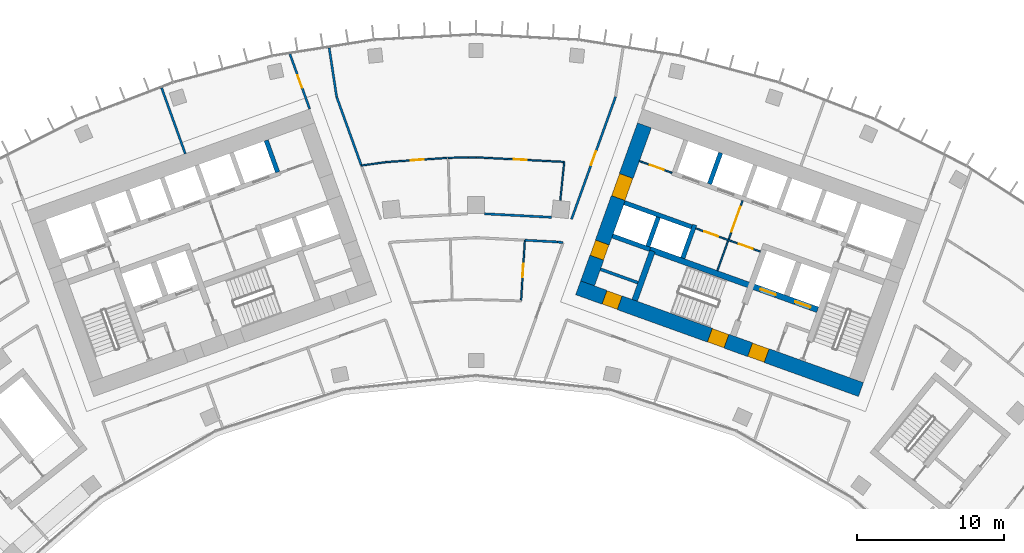
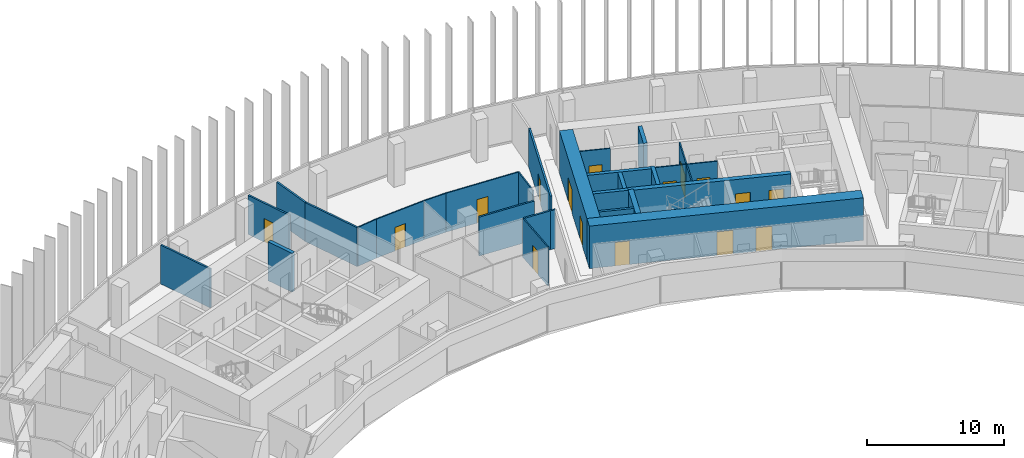
# One storey, part 16 of 20: 28 walls, 16 doors, 16 openings.
"""IFC4 building model written with IfcOpenShell, lengths in metres."""

from ifc_helpers import new_model, si_unit, direction, frame, frame_2d, origin, place, context, subcontext, project, spatial, rectangle, extrude, material, layer, layer_set, type_object, element, fill, save


model = new_model("IFC4")

# Units and contexts
model_context = context("Model", 3, precision=1e-05, world=origin(), true_north=direction((0.0, 1.0)))
body_context = subcontext(model_context, "Body", "Model", "MODEL_VIEW")
ifc_project = project(units=[si_unit("LENGTHUNIT", "METRE"), si_unit("AREAUNIT", "SQUARE_METRE"), si_unit("VOLUMEUNIT", "CUBIC_METRE"), si_unit("PLANEANGLEUNIT", "RADIAN"), si_unit("MASSUNIT", "GRAM", prefix="KILO")], contexts=[model_context])

# Site, building, storey
site_placement = place(None, origin())
site = spatial("IfcSite", under=ifc_project, at=site_placement, CompositionType="ELEMENT")
building_placement = place(site_placement, origin())
building = spatial("IfcBuilding", under=site, at=building_placement, Name="Stone Belt Terrace Tower", CompositionType="ELEMENT")
storey_placement = place(building_placement, frame((0.0, 0.0, 212.39990234375)))
storey = spatial("IfcBuildingStorey", under=building, at=storey_placement, Name="L51", CompositionType="ELEMENT", Elevation=212.39990234375)

# Wall, openings, doors
ifc_material_1 = material(Name="Plasterboard partition")
ifc_layer_1 = layer(ifc_material_1, 0.10009765625)
ifc_layer_set_1 = layer_set([ifc_layer_1], Name="Core partition 100")
wall_type_1 = type_object("IfcWallType", Name="Core partition 100", PredefinedType="PARTITIONING", material=ifc_layer_set_1)
wall_1_placement = place(storey_placement, frame((19.29052734375, 51.829833984375, 0.0), z_axis=(0.0, 0.0, 1.0), x_axis=(-0.940930240745, 0.338600475563, 0.0)))
wall_1 = element("IfcWall", 1, at=wall_1_placement, inside=storey, type_object=wall_type_1, Name="Core B wall", PredefinedType="PARTITIONING", context=body_context, shape_type="SweptSolid", body=[
    extrude(rectangle(XDim=4.64990234375, YDim=0.10009765625, at=frame_2d((2.324951171875, 0.0))), origin(), (0.0, 0.0, 1.0), 3.47998046875),
])
opening_1_placement = place(wall_1_placement, frame((0.550048828125, 0.0, 0.0)))
opening_1 = element("IfcOpeningElement", 2, at=opening_1_placement, cuts=wall_1, Name="Opening L51-C16", PredefinedType="OPENING", context=body_context, shape_type="SweptSolid", body=[
    extrude(rectangle(XDim=1.0, YDim=2.10009765625, at=frame_2d((0.5, 1.050048828125))), frame((0.0, 0.06005859375, 0.0), z_axis=(0.0, -1.0, 0.0), x_axis=(1.0, 0.0, 0.0)), (0.0, 0.0, 1.0), 0.1201171875),
])
opening_2_placement = place(wall_1_placement, frame((3.050048828125, 0.0, 0.0)))
opening_2 = element("IfcOpeningElement", 3, at=opening_2_placement, cuts=wall_1, Name="Opening L51-C17", PredefinedType="OPENING", context=body_context, shape_type="SweptSolid", body=[
    extrude(rectangle(XDim=1.0, YDim=2.10009765625, at=frame_2d((0.5, 1.050048828125))), frame((0.0, 0.06005859375, 0.0), z_axis=(0.0, -1.0, 0.0), x_axis=(1.0, 0.0, 0.0)), (0.0, 0.0, 1.0), 0.1201171875),
])
ifc_material_2 = material(Name="Timber door leaf", Category="wood")
door_type_1 = type_object("IfcDoorType", Name="Core room door 1000", OperationType="SINGLE_SWING_LEFT", PredefinedType="DOOR", material=ifc_material_2)
door_1_placement = place(opening_1_placement, origin())
door_1 = element("IfcDoor", 4, at=door_1_placement, inside=storey, type_object=door_type_1, Name="Door to Telecommunications room core B", OperationType="SINGLE_SWING_RIGHT", OverallHeight=2.10009765625, OverallWidth=1.0, PredefinedType="DOOR", context=body_context, shape_type="SweptSolid", body=[
    extrude(rectangle(XDim=1.0, YDim=2.10009765625, at=frame_2d((0.5, 1.050048828125))), frame((0.0, 0.02490234375, 0.0), z_axis=(0.0, -1.0, 0.0), x_axis=(1.0, 0.0, 0.0)), (0.0, 0.0, 1.0), 0.050048828125),
])
fill(opening_1, door_1)
door_2_placement = place(opening_2_placement, origin())
door_2 = element("IfcDoor", 5, at=door_2_placement, inside=storey, type_object=door_type_1, Name="Door to Archive store core B", OperationType="SINGLE_SWING_LEFT", OverallHeight=2.10009765625, OverallWidth=1.0, PredefinedType="DOOR", context=body_context, shape_type="SweptSolid", body=[
    extrude(rectangle(XDim=1.0, YDim=2.10009765625, at=frame_2d((0.5, 1.050048828125))), frame((0.0, 0.02490234375, 0.0), z_axis=(0.0, -1.0, 0.0), x_axis=(1.0, 0.0, 0.0)), (0.0, 0.0, 1.0), 0.050048828125),
])
fill(opening_2, door_2)

# Wall, opening, door
wall_2_placement = place(storey_placement, frame((16.38134765625, 50.53857421875, 0.0), z_axis=(0.0, 0.0, 1.0), x_axis=(0.33860476744, 0.940928696271, 0.0)))
wall_2 = element("IfcWall", 6, at=wall_2_placement, inside=storey, type_object=wall_type_1, Name="Core B wall", PredefinedType="PARTITIONING", context=body_context, shape_type="SweptSolid", body=[
    extrude(rectangle(XDim=5.050048828125, YDim=0.10009765625, at=frame_2d((2.52490234375, 0.0))), origin(), (0.0, 0.0, 1.0), 3.47998046875),
])
opening_3_placement = place(wall_2_placement, frame((2.800048828125, 0.0, 0.0)))
opening_3 = element("IfcOpeningElement", 7, at=opening_3_placement, cuts=wall_2, Name="Opening L51-C20", PredefinedType="OPENING", context=body_context, shape_type="SweptSolid", body=[
    extrude(rectangle(XDim=1.800048828125, YDim=2.10009765625, at=frame_2d((0.89990234375, 1.050048828125))), frame((0.0, 0.06005859375, 0.0), z_axis=(0.0, -1.0, 0.0), x_axis=(1.0, 0.0, 0.0)), (0.0, 0.0, 1.0), 0.1201171875),
])
ifc_material_3 = material(Name="Glazed aluminium door leaf", Category="aluminium")
door_type_2 = type_object("IfcDoorType", Name="Lift lobby entrance door 1800", OperationType="DOUBLE_DOOR_SINGLE_SWING", PredefinedType="DOOR", material=ifc_material_3)
door_3_placement = place(opening_3_placement, origin())
door_3 = element("IfcDoor", 8, at=door_3_placement, inside=storey, type_object=door_type_2, Name="Lift lobby double door core B", OperationType="DOUBLE_DOOR_SINGLE_SWING", OverallHeight=2.10009765625, OverallWidth=1.800048828125, PredefinedType="DOOR", context=body_context, shape_type="SweptSolid", body=[
    extrude(rectangle(XDim=1.800048828125, YDim=2.10009765625, at=frame_2d((0.89990234375, 1.050048828125))), frame((0.0, 0.02490234375, 0.0), z_axis=(0.0, -1.0, 0.0), x_axis=(1.0, 0.0, 0.0)), (0.0, 0.0, 1.0), 0.050048828125),
])
fill(opening_3, door_3)

wall_3_placement = place(storey_placement, frame((13.29638671875, 57.17529296875, 0.0), z_axis=(0.0, 0.0, 1.0), x_axis=(-0.940904627055, 0.338671644496, 0.0)))
wall_3 = element("IfcWall", 9, at=wall_3_placement, inside=storey, type_object=wall_type_1, Name="Core B wall", PredefinedType="PARTITIONING", context=body_context, shape_type="SweptSolid", body=[
    extrude(rectangle(XDim=2.35009765625, YDim=0.10009765625, at=frame_2d((1.175048828125, 0.0))), origin(), (0.0, 0.0, 1.0), 3.47998046875),
])
opening_4_placement = place(wall_3_placement, frame((0.60009765625, 0.0, 0.0)))
opening_4 = element("IfcOpeningElement", 10, at=opening_4_placement, cuts=wall_3, Name="Opening L51-C15", PredefinedType="OPENING", context=body_context, shape_type="SweptSolid", body=[
    extrude(rectangle(XDim=1.0, YDim=2.10009765625, at=frame_2d((0.5, 1.050048828125))), frame((0.0, 0.06005859375, 0.0), z_axis=(0.0, -1.0, 0.0), x_axis=(1.0, 0.0, 0.0)), (0.0, 0.0, 1.0), 0.1201171875),
])
door_4_placement = place(opening_4_placement, origin())
door_4 = element("IfcDoor", 11, at=door_4_placement, inside=storey, type_object=door_type_1, Name="Door to Staff pantry core B", OperationType="SINGLE_SWING_RIGHT", OverallHeight=2.10009765625, OverallWidth=1.0, PredefinedType="DOOR", context=body_context, shape_type="SweptSolid", body=[
    extrude(rectangle(XDim=1.0, YDim=2.10009765625, at=frame_2d((0.5, 1.050048828125))), frame((0.0, 0.02490234375, 0.0), z_axis=(0.0, -1.0, 0.0), x_axis=(1.0, 0.0, 0.0)), (0.0, 0.0, 1.0), 0.050048828125),
])
fill(opening_4, door_4)

# Wall, openings, doors
ifc_material_4 = material(Name="Concrete B60", Category="concrete")
ifc_layer_2 = layer(ifc_material_4, 1.0)
ifc_layer_set_2 = layer_set([ifc_layer_2], Name="Core wall 1000 B60")
wall_type_2 = type_object("IfcWallType", Name="Core wall 1000 B60", PredefinedType="SHEAR", material=ifc_layer_set_2)
wall_4_placement = place(storey_placement, frame((6.927490234375, 49.370849609375, 0.0), z_axis=(0.0, 0.0, 1.0), x_axis=(0.940921428504, -0.338624962727, 0.0)))
wall_4 = element("IfcWall", 12, at=wall_4_placement, inside=storey, type_object=wall_type_2, Name="Core B wall concave L51", PredefinedType="SHEAR", context=body_context, shape_type="SweptSolid", body=[
    extrude(rectangle(XDim=20.400146484375, YDim=1.0, at=frame_2d((10.2001953125, 0.0))), origin(), (0.0, 0.0, 1.0), 3.800048828125),
])
opening_5_placement = place(wall_4_placement, frame((12.39990234375, 0.0, 0.0)))
opening_5 = element("IfcOpeningElement", 13, at=opening_5_placement, cuts=wall_4, Name="Opening L51-C24", PredefinedType="OPENING", context=body_context, shape_type="SweptSolid", body=[
    extrude(rectangle(XDim=1.199951171875, YDim=2.10009765625, at=frame_2d((0.60009765625, 1.050048828125))), frame((0.0, 0.510009765625, 0.0), z_axis=(0.0, -1.0, 0.0), x_axis=(1.0, 0.0, 0.0)), (0.0, 0.0, 1.0), 1.02001953125),
])
opening_6_placement = place(wall_4_placement, frame((9.5, 0.0, 0.0)))
opening_6 = element("IfcOpeningElement", 14, at=opening_6_placement, cuts=wall_4, Name="Opening L51-C26", PredefinedType="OPENING", context=body_context, shape_type="SweptSolid", body=[
    extrude(rectangle(XDim=1.199951171875, YDim=2.10009765625, at=frame_2d((0.60009765625, 1.050048828125))), frame((0.0, 0.510009765625, 0.0), z_axis=(0.0, -1.0, 0.0), x_axis=(1.0, 0.0, 0.0)), (0.0, 0.0, 1.0), 1.02001953125),
])
opening_7_placement = place(wall_4_placement, frame((1.89990234375, 0.0, 0.0)))
opening_7 = element("IfcOpeningElement", 15, at=opening_7_placement, cuts=wall_4, Name="Opening L51-C28", PredefinedType="OPENING", context=body_context, shape_type="SweptSolid", body=[
    extrude(rectangle(XDim=1.10009765625, YDim=2.10009765625, at=frame_2d((0.550048828125, 1.050048828125))), frame((0.0, 0.510009765625, 0.0), z_axis=(0.0, -1.0, 0.0), x_axis=(1.0, 0.0, 0.0)), (0.0, 0.0, 1.0), 1.02001953125),
])
door_type_3 = type_object("IfcDoorType", Name="Core room door 1100", OperationType="SINGLE_SWING_LEFT", PredefinedType="DOOR", material=ifc_material_2)
door_5_placement = place(opening_7_placement, origin())
door_5 = element("IfcDoor", 16, at=door_5_placement, inside=storey, type_object=door_type_3, Name="Door to Pipe riser core B", OperationType="SINGLE_SWING_RIGHT", OverallHeight=2.10009765625, OverallWidth=1.10009765625, PredefinedType="DOOR", context=body_context, shape_type="SweptSolid", body=[
    extrude(rectangle(XDim=1.10009765625, YDim=2.10009765625, at=frame_2d((0.550048828125, 1.050048828125))), frame((0.0, 0.47998046875, 0.0), z_axis=(0.0, -1.0, 0.0), x_axis=(1.0, 0.0, 0.0)), (0.0, 0.0, 1.0), 0.9599609375),
])
fill(opening_7, door_5)
ifc_material_5 = material(Name="Steel door leaf", Category="steel")
door_type_4 = type_object("IfcDoorType", Name="Fire-fighting lobby door 1200", OperationType="SINGLE_SWING_LEFT", PredefinedType="DOOR", material=ifc_material_5)
door_6_placement = place(opening_5_placement, origin())
door_6 = element("IfcDoor", 17, at=door_6_placement, inside=storey, type_object=door_type_4, Name="Fire-fighting lobby door core B", OperationType="SINGLE_SWING_RIGHT", OverallHeight=2.10009765625, OverallWidth=1.199951171875, PredefinedType="DOOR", context=body_context, shape_type="SweptSolid", body=[
    extrude(rectangle(XDim=1.199951171875, YDim=2.10009765625, at=frame_2d((0.60009765625, 1.050048828125))), frame((0.0, 0.47998046875, 0.0), z_axis=(0.0, -1.0, 0.0), x_axis=(1.0, 0.0, 0.0)), (0.0, 0.0, 1.0), 0.9599609375),
])
fill(opening_5, door_6)
door_type_5 = type_object("IfcDoorType", Name="Stair door 1200", OperationType="SINGLE_SWING_LEFT", PredefinedType="DOOR", material=ifc_material_5)
door_7_placement = place(opening_6_placement, origin())
door_7 = element("IfcDoor", 18, at=door_7_placement, inside=storey, type_object=door_type_5, Name="Stair 2 exit door core B", OperationType="SINGLE_SWING_LEFT", OverallHeight=2.10009765625, OverallWidth=1.199951171875, PredefinedType="DOOR", context=body_context, shape_type="SweptSolid", body=[
    extrude(rectangle(XDim=1.199951171875, YDim=2.10009765625, at=frame_2d((0.60009765625, 1.050048828125))), frame((0.0, 0.47998046875, 0.0), z_axis=(0.0, -1.0, 0.0), x_axis=(1.0, 0.0, 0.0)), (0.0, 0.0, 1.0), 0.9599609375),
])
fill(opening_6, door_7)

wall_5_placement = place(storey_placement, frame((7.567138671875, 49.672119140625, 0.0), z_axis=(0.0, 0.0, 1.0), x_axis=(0.338625431531, 0.940921259788, 0.0)))
wall_5 = element("IfcWall", 19, at=wall_5_placement, inside=storey, type_object=wall_type_2, Name="Core B wall end_a L51", PredefinedType="SHEAR", context=body_context, shape_type="SweptSolid", body=[
    extrude(rectangle(XDim=11.400146484375, YDim=1.0, at=frame_2d((5.7001953125, 0.0))), origin(), (0.0, 0.0, 1.0), 3.800048828125),
])
opening_8_placement = place(wall_5_placement, frame((6.14990234375, 0.0, 0.0)))
opening_8 = element("IfcOpeningElement", 20, at=opening_8_placement, cuts=wall_5, Name="Opening L51-C21", PredefinedType="OPENING", context=body_context, shape_type="SweptSolid", body=[
    extrude(rectangle(XDim=1.60009765625, YDim=2.10009765625, at=frame_2d((0.800048828125, 1.050048828125))), frame((0.0, 0.510009765625, 0.0), z_axis=(0.0, -1.0, 0.0), x_axis=(1.0, 0.0, 0.0)), (0.0, 0.0, 1.0), 1.02001953125),
])
opening_9_placement = place(wall_5_placement, frame((1.85009765625, 0.0, 0.0)))
opening_9 = element("IfcOpeningElement", 21, at=opening_9_placement, cuts=wall_5, Name="Opening L51-C27", PredefinedType="OPENING", context=body_context, shape_type="SweptSolid", body=[
    extrude(rectangle(XDim=1.10009765625, YDim=2.10009765625, at=frame_2d((0.550048828125, 1.050048828125))), frame((0.0, 0.510009765625, 0.0), z_axis=(0.0, -1.0, 0.0), x_axis=(1.0, 0.0, 0.0)), (0.0, 0.0, 1.0), 1.02001953125),
])
door_8_placement = place(opening_9_placement, origin())
door_8 = element("IfcDoor", 22, at=door_8_placement, inside=storey, type_object=door_type_3, Name="Door to Accessible WC core B", OperationType="SINGLE_SWING_LEFT", OverallHeight=2.10009765625, OverallWidth=1.10009765625, PredefinedType="DOOR", context=body_context, shape_type="SweptSolid", body=[
    extrude(rectangle(XDim=1.10009765625, YDim=2.10009765625, at=frame_2d((0.550048828125, 1.050048828125))), frame((0.0, 0.47998046875, 0.0), z_axis=(0.0, -1.0, 0.0), x_axis=(1.0, 0.0, 0.0)), (0.0, 0.0, 1.0), 0.9599609375),
])
fill(opening_9, door_8)
door_type_6 = type_object("IfcDoorType", Name="Lift lobby entrance door 1600", OperationType="DOUBLE_DOOR_SINGLE_SWING", PredefinedType="DOOR", material=ifc_material_3)
door_9_placement = place(opening_8_placement, origin())
door_9 = element("IfcDoor", 23, at=door_9_placement, inside=storey, type_object=door_type_6, Name="Lift lobby entrance door core B", OperationType="DOUBLE_DOOR_SINGLE_SWING", OverallHeight=2.10009765625, OverallWidth=1.60009765625, PredefinedType="DOOR", context=body_context, shape_type="SweptSolid", body=[
    extrude(rectangle(XDim=1.60009765625, YDim=2.10009765625, at=frame_2d((0.800048828125, 1.050048828125))), frame((0.0, 0.47998046875, 0.0), z_axis=(0.0, -1.0, 0.0), x_axis=(1.0, 0.0, 0.0)), (0.0, 0.0, 1.0), 0.9599609375),
])
fill(opening_8, door_9)

# Walls
ifc_material_6 = material(Name="Concrete B80", Category="concrete")
ifc_layer_3 = layer(ifc_material_6, 0.300048828125)
ifc_layer_set_3 = layer_set([ifc_layer_3], Name="Lift shaft wall 300")
wall_type_3 = type_object("IfcWallType", Name="Lift shaft wall 300", PredefinedType="SHEAR", material=ifc_layer_set_3)
wall_6_placement = place(storey_placement, frame((-13.471435546875, 57.218505859375, 0.0), z_axis=(0.0, 0.0, 1.0), x_axis=(-0.338587917, 0.940934759939, 0.0)))
element("IfcWall", 24, at=wall_6_placement, inside=storey, type_object=wall_type_3, Name="Core A wall", PredefinedType="SHEAR", context=body_context, shape_type="SweptSolid", body=[
    extrude(rectangle(XDim=2.300048828125, YDim=0.300048828125, at=frame_2d((1.14990234375, 0.0))), origin(), (0.0, 0.0, 1.0), 3.47998046875),
])
wall_7_placement = place(storey_placement, frame((14.029052734375, 51.38525390625, 0.0), z_axis=(0.0, 0.0, 1.0), x_axis=(0.338661829791, 0.940908159728, 0.0)))
element("IfcWall", 25, at=wall_7_placement, inside=storey, type_object=wall_type_3, Name="Core B wall", PredefinedType="SHEAR", context=body_context, shape_type="SweptSolid", body=[
    extrude(rectangle(XDim=2.39990234375, YDim=0.300048828125, at=frame_2d((1.199951171875, 0.0))), origin(), (0.0, 0.0, 1.0), 3.47998046875),
])
wall_8_placement = place(storey_placement, frame((14.6328125, 53.506103515625, 0.0), z_axis=(0.0, 0.0, 1.0), x_axis=(-0.940931684323, 0.338596464007, 0.0)))
element("IfcWall", 26, at=wall_8_placement, inside=storey, type_object=wall_type_3, Name="Core B wall", PredefinedType="SHEAR", context=body_context, shape_type="SweptSolid", body=[
    extrude(rectangle(XDim=4.849609375, YDim=0.300048828125, at=frame_2d((2.4248046875, 0.0))), origin(), (0.0, 0.0, 1.0), 3.47998046875),
])
wall_9_placement = place(storey_placement, frame((15.8408203125, 56.419189453125, 0.0), z_axis=(0.0, 0.0, 1.0), x_axis=(0.338569601369, 0.940941350472, 0.0)))
element("IfcWall", 27, at=wall_9_placement, inside=storey, type_object=wall_type_3, Name="Core B wall", PredefinedType="SHEAR", context=body_context, shape_type="SweptSolid", body=[
    extrude(rectangle(XDim=2.249755859375, YDim=0.300048828125, at=frame_2d((1.125, 0.0))), origin(), (0.0, 0.0, 1.0), 3.47998046875),
])
wall_10_placement = place(storey_placement, frame((11.797119140625, 51.975830078125, 0.0), z_axis=(0.0, 0.0, 1.0), x_axis=(-0.940910465161, 0.33865542451, 0.0)))
element("IfcWall", 28, at=wall_10_placement, inside=storey, type_object=wall_type_3, Name="Core B wall", PredefinedType="SHEAR", context=body_context, shape_type="SweptSolid", body=[
    extrude(rectangle(XDim=2.69970703125, YDim=0.300048828125, at=frame_2d((1.349853515625, 0.0))), origin(), (0.0, 0.0, 1.0), 3.47998046875),
])
wall_11_placement = place(storey_placement, frame((11.659912109375, 52.184814453125, 0.0), z_axis=(0.0, 0.0, 1.0), x_axis=(0.338670064856, 0.940905195634, 0.0)))
element("IfcWall", 29, at=wall_11_placement, inside=storey, type_object=wall_type_3, Name="Core B wall", PredefinedType="SHEAR", context=body_context, shape_type="SweptSolid", body=[
    extrude(rectangle(XDim=2.099853515625, YDim=0.300048828125, at=frame_2d((1.0498046875, 0.0))), origin(), (0.0, 0.0, 1.0), 3.47998046875),
])

# Wall, opening, door
ifc_material_7 = material(Name="Gypsum board partition")
ifc_layer_4 = layer(ifc_material_7, 0.10009765625)
ifc_layer_set_4 = layer_set([ifc_layer_4], Name="PARTITION 100")
wall_type_4 = type_object("IfcWallType", Name="PARTITION 100", PredefinedType="PARTITIONING", material=ifc_layer_set_4)
wall_12_placement = place(storey_placement, frame((3.051025390625, 48.47900390625, 0.0), z_axis=(0.0, 0.0, 1.0), x_axis=(0.06270205235, 0.998032290375, 0.0)))
wall_12 = element("IfcWall", 30, at=wall_12_placement, inside=storey, type_object=wall_type_4, Name="L51/wall/i084", PredefinedType="PARTITIONING", context=body_context, shape_type="SweptSolid", body=[
    extrude(rectangle(XDim=4.131103515625, YDim=0.10009765625, at=frame_2d((2.0654296875, 0.0))), origin(), (0.0, 0.0, 1.0), 3.47998046875),
])
opening_10_placement = place(wall_12_placement, frame((1.615478515625, 0.0, 0.0)))
opening_10 = element("IfcOpeningElement", 31, at=opening_10_placement, cuts=wall_12, Name="Opening D-D2b-24", PredefinedType="OPENING", context=body_context, shape_type="SweptSolid", body=[
    extrude(rectangle(XDim=0.89990234375, YDim=2.10009765625, at=frame_2d((0.449951171875, 1.050048828125))), frame((0.0, 0.06005859375, 0.0), z_axis=(0.0, -1.0, 0.0), x_axis=(1.0, 0.0, 0.0)), (0.0, 0.0, 1.0), 0.1201171875),
])
door_type_7 = type_object("IfcDoorType", Name="OFFICE DOOR 900 X 2100", OperationType="NOTDEFINED", PredefinedType="DOOR", material=ifc_material_2)
door_10_placement = place(opening_10_placement, origin())
door_10 = element("IfcDoor", 32, at=door_10_placement, inside=storey, type_object=door_type_7, Name="L51/door/i24", OperationType="SINGLE_SWING_RIGHT", OverallHeight=2.10009765625, OverallWidth=0.89990234375, PredefinedType="DOOR", context=body_context, shape_type="SweptSolid", body=[
    extrude(rectangle(XDim=0.89990234375, YDim=2.10009765625, at=frame_2d((0.449951171875, 1.050048828125))), frame((0.0, 0.02490234375, 0.0), z_axis=(0.0, -1.0, 0.0), x_axis=(1.0, 0.0, 0.0)), (0.0, 0.0, 1.0), 0.050048828125),
])
fill(opening_10, door_10)

wall_13_placement = place(storey_placement, frame((-1.89892578125, 58.194091796875, 0.0), z_axis=(0.0, 0.0, 1.0), x_axis=(-0.997641330362, -0.068642377249, 0.0)))
wall_13 = element("IfcWall", 33, at=wall_13_placement, inside=storey, type_object=wall_type_4, Name="L51/wall/i086", PredefinedType="PARTITIONING", context=body_context, shape_type="SweptSolid", body=[
    extrude(rectangle(XDim=4.197021484375, YDim=0.10009765625, at=frame_2d((2.0986328125, 0.0))), origin(), (0.0, 0.0, 1.0), 3.47998046875),
])
opening_11_placement = place(wall_13_placement, frame((1.6484375, 0.0, 0.0)))
opening_11 = element("IfcOpeningElement", 34, at=opening_11_placement, cuts=wall_13, Name="Opening D-D2b-26", PredefinedType="OPENING", context=body_context, shape_type="SweptSolid", body=[
    extrude(rectangle(XDim=0.89990234375, YDim=2.10009765625, at=frame_2d((0.449951171875, 1.050048828125))), frame((0.0, 0.06005859375, 0.0), z_axis=(0.0, -1.0, 0.0), x_axis=(1.0, 0.0, 0.0)), (0.0, 0.0, 1.0), 0.1201171875),
])
door_11_placement = place(opening_11_placement, origin())
door_11 = element("IfcDoor", 35, at=door_11_placement, inside=storey, type_object=door_type_7, Name="L51/door/i26", OperationType="SINGLE_SWING_RIGHT", OverallHeight=2.10009765625, OverallWidth=0.89990234375, PredefinedType="DOOR", context=body_context, shape_type="SweptSolid", body=[
    extrude(rectangle(XDim=0.89990234375, YDim=2.10009765625, at=frame_2d((0.449951171875, 1.050048828125))), frame((0.0, 0.02490234375, 0.0), z_axis=(0.0, -1.0, 0.0), x_axis=(1.0, 0.0, 0.0)), (0.0, 0.0, 1.0), 0.050048828125),
])
fill(opening_11, door_11)

# Walls
wall_14_placement = place(storey_placement, frame((-6.0859375, 57.906005859375, 0.0), z_axis=(0.0, 0.0, 1.0), x_axis=(-0.990701823522, -0.136051081843, 0.0)))
element("IfcWall", 36, at=wall_14_placement, inside=storey, type_object=wall_type_4, Name="L51/wall/i087", PredefinedType="PARTITIONING", context=body_context, shape_type="SweptSolid", body=[
    extrude(rectangle(XDim=1.718994140625, YDim=0.10009765625, at=frame_2d((0.859375, 0.0))), origin(), (0.0, 0.0, 1.0), 3.47998046875),
])
wall_15_placement = place(storey_placement, frame((5.71484375, 55.310546875, 0.0), z_axis=(0.0, 0.0, 1.0), x_axis=(0.102676629499, 0.994714788145, 0.0)))
element("IfcWall", 37, at=wall_15_placement, inside=storey, type_object=wall_type_4, Name="L51/wall/i088", PredefinedType="PARTITIONING", context=body_context, shape_type="SweptSolid", body=[
    extrude(rectangle(XDim=2.620361328125, YDim=0.10009765625, at=frame_2d((1.31005859375, 0.0))), origin(), (0.0, 0.0, 1.0), 3.47998046875),
])

# Wall, opening, door
wall_16_placement = place(storey_placement, frame((5.98388671875, 57.9169921875, 0.0), z_axis=(0.0, 0.0, 1.0), x_axis=(-0.998677061642, 0.051421071065, 0.0)))
wall_16 = element("IfcWall", 38, at=wall_16_placement, inside=storey, type_object=wall_type_4, Name="L51/wall/i089", PredefinedType="PARTITIONING", context=body_context, shape_type="SweptSolid", body=[
    extrude(rectangle(XDim=5.99169921875, YDim=0.10009765625, at=frame_2d((2.995849609375, 0.0))), origin(), (0.0, 0.0, 1.0), 3.47998046875),
])
opening_12_placement = place(wall_16_placement, frame((2.5458984375, 0.0, 0.0)))
opening_12 = element("IfcOpeningElement", 39, at=opening_12_placement, cuts=wall_16, Name="Opening D-D2b-27", PredefinedType="OPENING", context=body_context, shape_type="SweptSolid", body=[
    extrude(rectangle(XDim=0.89990234375, YDim=2.10009765625, at=frame_2d((0.449951171875, 1.050048828125))), frame((0.0, 0.06005859375, 0.0), z_axis=(0.0, -1.0, 0.0), x_axis=(1.0, 0.0, 0.0)), (0.0, 0.0, 1.0), 0.1201171875),
])
door_12_placement = place(opening_12_placement, origin())
door_12 = element("IfcDoor", 40, at=door_12_placement, inside=storey, type_object=door_type_7, Name="L51/door/i27", OperationType="SINGLE_SWING_RIGHT", OverallHeight=2.10009765625, OverallWidth=0.89990234375, PredefinedType="DOOR", context=body_context, shape_type="SweptSolid", body=[
    extrude(rectangle(XDim=0.89990234375, YDim=2.10009765625, at=frame_2d((0.449951171875, 1.050048828125))), frame((0.0, 0.02490234375, 0.0), z_axis=(0.0, -1.0, 0.0), x_axis=(1.0, 0.0, 0.0)), (0.0, 0.0, 1.0), 0.050048828125),
])
fill(opening_12, door_12)

# Wall
wall_17_placement = place(storey_placement, frame((0.0, 58.22509765625, 0.0), z_axis=(0.0, 0.0, 1.0), x_axis=(-0.999866723144, -0.016325928753, 0.0)))
element("IfcWall", 41, at=wall_17_placement, inside=storey, type_object=wall_type_4, Name="L51/wall/i090", PredefinedType="PARTITIONING", context=body_context, shape_type="SweptSolid", body=[
    extrude(rectangle(XDim=1.899169921875, YDim=0.10009765625, at=frame_2d((0.94970703125, 0.0))), origin(), (0.0, 0.0, 1.0), 3.47998046875),
])

# Wall, opening, door
ifc_layer_5 = layer(ifc_material_7, 0.14990234375)
ifc_layer_set_5 = layer_set([ifc_layer_5], Name="PARTITION 150 EI 60")
wall_type_5 = type_object("IfcWallType", Name="PARTITION 150 EI 60", PredefinedType="PARTITIONING", material=ifc_layer_set_5)
wall_18_placement = place(storey_placement, frame((-11.2958984375, 61.509033203125, 0.0), z_axis=(0.0, 0.0, 1.0), x_axis=(-0.338610223579, 0.940926732795, 0.0)))
wall_18 = element("IfcWall", 42, at=wall_18_placement, inside=storey, type_object=wall_type_5, Name="L51/wall/i009", PredefinedType="PARTITIONING", context=body_context, shape_type="SweptSolid", body=[
    extrude(rectangle(XDim=3.956787109375, YDim=0.14990234375, at=frame_2d((1.978515625, 0.0))), origin(), (0.0, 0.0, 1.0), 3.47998046875),
])
opening_13_placement = place(wall_18_placement, frame((1.5283203125, 0.0, 0.0)))
opening_13 = element("IfcOpeningElement", 43, at=opening_13_placement, cuts=wall_18, Name="Opening D-D2b-05", PredefinedType="OPENING", context=body_context, shape_type="SweptSolid", body=[
    extrude(rectangle(XDim=0.89990234375, YDim=2.10009765625, at=frame_2d((0.449951171875, 1.050048828125))), frame((0.0, 0.0849609375, 0.0), z_axis=(0.0, -1.0, 0.0), x_axis=(1.0, 0.0, 0.0)), (0.0, 0.0, 1.0), 0.169921875),
])
door_13_placement = place(opening_13_placement, origin())
door_13 = element("IfcDoor", 44, at=door_13_placement, inside=storey, type_object=door_type_7, Name="L51/door/i05", OperationType="SINGLE_SWING_RIGHT", OverallHeight=2.10009765625, OverallWidth=0.89990234375, PredefinedType="DOOR", context=body_context, shape_type="SweptSolid", body=[
    extrude(rectangle(XDim=0.89990234375, YDim=2.10009765625, at=frame_2d((0.449951171875, 1.050048828125))), frame((0.0, 0.02490234375, 0.0), z_axis=(0.0, -1.0, 0.0), x_axis=(1.0, 0.0, 0.0)), (0.0, 0.0, 1.0), 0.050048828125),
])
fill(opening_13, door_13)

# Walls
wall_19_placement = place(storey_placement, frame((-9.971923828125, 65.65576171875, 0.0), z_axis=(0.0, 0.0, 1.0), x_axis=(0.150154488208, -0.988662545903, 0.0)))
element("IfcWall", 45, at=wall_19_placement, inside=storey, type_object=wall_type_5, Name="L51/wall/i012", PredefinedType="PARTITIONING", context=body_context, shape_type="SweptSolid", body=[
    extrude(rectangle(XDim=3.35595703125, YDim=0.14990234375, at=frame_2d((1.677978515625, 0.0))), origin(), (0.0, 0.0, 1.0), 3.47998046875),
])
wall_20_placement = place(storey_placement, frame((-9.468017578125, 62.3369140625, 0.0), z_axis=(0.0, 0.0, 1.0), x_axis=(0.338609749615, -0.94092690336, 0.0)))
element("IfcWall", 46, at=wall_20_placement, inside=storey, type_object=wall_type_5, Name="L51/wall/i013", PredefinedType="PARTITIONING", context=body_context, shape_type="SweptSolid", body=[
    extrude(rectangle(XDim=4.964111328125, YDim=0.14990234375, at=frame_2d((2.48193359375, 0.0))), origin(), (0.0, 0.0, 1.0), 3.47998046875),
])
wall_21_placement = place(storey_placement, frame((-21.347900390625, 62.939208984375, 0.0), z_axis=(0.0, 0.0, 1.0), x_axis=(0.338530164173, -0.940955539834, 0.0)))
element("IfcWall", 47, at=wall_21_placement, inside=storey, type_object=wall_type_5, Name="L51/wall/i021", PredefinedType="PARTITIONING", context=body_context, shape_type="SweptSolid", body=[
    extrude(rectangle(XDim=4.749755859375, YDim=0.14990234375, at=frame_2d((2.375, 0.0))), origin(), (0.0, 0.0, 1.0), 3.47998046875),
])

# Wall, opening, door
wall_22_placement = place(storey_placement, frame((6.47509765625, 54.02001953125, 0.0), z_axis=(0.0, 0.0, 1.0), x_axis=(0.338603075024, 0.940929305307, 0.0)))
wall_22 = element("IfcWall", 48, at=wall_22_placement, inside=storey, type_object=wall_type_5, Name="L51/wall/i025", PredefinedType="PARTITIONING", context=body_context, shape_type="SweptSolid", body=[
    extrude(rectangle(XDim=8.839111328125, YDim=0.14990234375, at=frame_2d((4.41943359375, 0.0))), origin(), (0.0, 0.0, 1.0), 3.47998046875),
])
opening_14_placement = place(wall_22_placement, frame((3.919677734375, 0.0, 0.0)))
opening_14 = element("IfcOpeningElement", 49, at=opening_14_placement, cuts=wall_22, Name="Opening D-D2b-25", PredefinedType="OPENING", context=body_context, shape_type="SweptSolid", body=[
    extrude(rectangle(XDim=1.0, YDim=2.10009765625, at=frame_2d((0.5, 1.050048828125))), frame((0.0, 0.0849609375, 0.0), z_axis=(0.0, -1.0, 0.0), x_axis=(1.0, 0.0, 0.0)), (0.0, 0.0, 1.0), 0.169921875),
])
ifc_material_8 = material(Name="Timber fire door leaf", Category="wood")
door_type_8 = type_object("IfcDoorType", Name="TENANCY ENTRANCE DOOR 1000 X 2100", OperationType="NOTDEFINED", PredefinedType="DOOR", material=ifc_material_8)
door_14_placement = place(opening_14_placement, origin())
door_14 = element("IfcDoor", 50, at=door_14_placement, inside=storey, type_object=door_type_8, Name="L51/door/i25", OperationType="SINGLE_SWING_RIGHT", OverallHeight=2.10009765625, OverallWidth=1.0, PredefinedType="DOOR", context=body_context, shape_type="SweptSolid", body=[
    extrude(rectangle(XDim=1.0, YDim=2.10009765625, at=frame_2d((0.5, 1.050048828125))), frame((0.0, 0.02490234375, 0.0), z_axis=(0.0, -1.0, 0.0), x_axis=(1.0, 0.0, 0.0)), (0.0, 0.0, 1.0), 0.050048828125),
])
fill(opening_14, door_14)

# Walls
wall_23_placement = place(storey_placement, frame((5.904052734375, 52.43603515625, 0.0), z_axis=(0.0, 0.0, 1.0), x_axis=(-0.991780421826, 0.127951533338, 0.0)))
element("IfcWall", 51, at=wall_23_placement, inside=storey, type_object=wall_type_5, Name="L51/wall/i072", PredefinedType="PARTITIONING", context=body_context, shape_type="SweptSolid", body=[
    extrude(rectangle(XDim=0.39111328125, YDim=0.14990234375, at=frame_2d((0.195556640625, 0.0))), origin(), (0.0, 0.0, 1.0), 3.47998046875),
])
wall_24_placement = place(storey_placement, frame((5.51611328125, 52.486083984375, 0.0), z_axis=(0.0, 0.0, 1.0), x_axis=(-0.998628767905, 0.052350586553, 0.0)))
element("IfcWall", 52, at=wall_24_placement, inside=storey, type_object=wall_type_5, Name="L51/wall/i073", PredefinedType="PARTITIONING", context=body_context, shape_type="SweptSolid", body=[
    extrude(rectangle(XDim=2.215087890625, YDim=0.14990234375, at=frame_2d((1.107421875, 0.0))), origin(), (0.0, 0.0, 1.0), 3.47998046875),
])
wall_25_placement = place(storey_placement, frame((0.5732421875, 54.39501953125, 0.0), z_axis=(0.0, 0.0, 1.0), x_axis=(0.998632924974, -0.052271226855, 0.0)))
element("IfcWall", 53, at=wall_25_placement, inside=storey, type_object=wall_type_5, Name="L51/wall/i080", PredefinedType="PARTITIONING", context=body_context, shape_type="SweptSolid", body=[
    extrude(rectangle(XDim=4.54443359375, YDim=0.14990234375, at=frame_2d((2.272216796875, 0.0))), origin(), (0.0, 0.0, 1.0), 3.47998046875),
])
ifc_material_9 = material(Name="Concrete masonry block", Category="masonry")
ifc_layer_6 = layer(ifc_material_9, 0.199951171875)
ifc_layer_set_6 = layer_set([ifc_layer_6], Name="Rated lobby wall 200")
wall_type_6 = type_object("IfcWallType", Name="Rated lobby wall 200", PredefinedType="PARTITIONING", material=ifc_layer_set_6)
wall_26_placement = place(storey_placement, frame((10.984619140625, 49.717529296875, 0.0), z_axis=(0.0, 0.0, 1.0), x_axis=(-0.940920834877, 0.338626612206, 0.0)))
element("IfcWall", 54, at=wall_26_placement, inside=storey, type_object=wall_type_6, Name="Core B wall", PredefinedType="PARTITIONING", context=body_context, shape_type="SweptSolid", body=[
    extrude(rectangle(XDim=2.699951171875, YDim=0.199951171875, at=frame_2d((1.35009765625, 0.0))), origin(), (0.0, 0.0, 1.0), 3.47998046875),
])

# Wall, openings, doors
ifc_layer_7 = layer(ifc_material_6, 0.39990234375)
ifc_layer_set_7 = layer_set([ifc_layer_7], Name="Stair enclosure wall 400")
wall_type_7 = type_object("IfcWallType", Name="Stair enclosure wall 400", PredefinedType="SHEAR", material=ifc_layer_set_7)
wall_27_placement = place(storey_placement, frame((23.182373046875, 47.87841796875, 0.0), z_axis=(0.0, 0.0, 1.0), x_axis=(-0.940921101762, 0.338625870628, 0.0)))
wall_27 = element("IfcWall", 55, at=wall_27_placement, inside=storey, type_object=wall_type_7, Name="Core B wall", PredefinedType="SHEAR", context=body_context, shape_type="SweptSolid", body=[
    extrude(rectangle(XDim=12.10009765625, YDim=0.39990234375, at=frame_2d((6.050048828125, 0.0))), origin(), (0.0, 0.0, 1.0), 3.47998046875),
])
opening_15_placement = place(wall_27_placement, frame((0.52001953125, 0.0, 0.0)))
opening_15 = element("IfcOpeningElement", 56, at=opening_15_placement, cuts=wall_27, Name="Opening L51-LD14", PredefinedType="OPENING", context=body_context, shape_type="SweptSolid", body=[
    extrude(rectangle(XDim=1.10009765625, YDim=2.199951171875, at=frame_2d((0.550048828125, 1.10009765625))), frame((0.0, 0.2099609375, 0.0), z_axis=(0.0, -1.0, 0.0), x_axis=(1.0, 0.0, 0.0)), (0.0, 0.0, 1.0), 0.419921875),
])
opening_16_placement = place(wall_27_placement, frame((3.02001953125, 0.0, 0.0)))
opening_16 = element("IfcOpeningElement", 57, at=opening_16_placement, cuts=wall_27, Name="Opening L51-LD15", PredefinedType="OPENING", context=body_context, shape_type="SweptSolid", body=[
    extrude(rectangle(XDim=1.10009765625, YDim=2.199951171875, at=frame_2d((0.550048828125, 1.10009765625))), frame((0.0, 0.2099609375, 0.0), z_axis=(0.0, -1.0, 0.0), x_axis=(1.0, 0.0, 0.0)), (0.0, 0.0, 1.0), 0.419921875),
])
ifc_material_10 = material(Name="Stainless steel door leaf", Category="steel")
door_type_9 = type_object("IfcDoorType", Name="Landing door 1100", OperationType="SLIDING_TO_LEFT", PredefinedType="DOOR", material=ifc_material_10)
door_15_placement = place(opening_15_placement, origin())
door_15 = element("IfcDoor", 58, at=door_15_placement, inside=storey, type_object=door_type_9, Name="Landing door FF1 core B", OperationType="SLIDING_TO_LEFT", OverallHeight=2.199951171875, OverallWidth=1.10009765625, PredefinedType="DOOR", context=body_context, shape_type="SweptSolid", body=[
    extrude(rectangle(XDim=1.10009765625, YDim=2.199951171875, at=frame_2d((0.550048828125, 1.10009765625))), frame((0.0, 0.02490234375, 0.0), z_axis=(0.0, -1.0, 0.0), x_axis=(1.0, 0.0, 0.0)), (0.0, 0.0, 1.0), 0.050048828125),
])
fill(opening_15, door_15)
door_16_placement = place(opening_16_placement, origin())
door_16 = element("IfcDoor", 59, at=door_16_placement, inside=storey, type_object=door_type_9, Name="Landing door FF2 core B", OperationType="SLIDING_TO_LEFT", OverallHeight=2.199951171875, OverallWidth=1.10009765625, PredefinedType="DOOR", context=body_context, shape_type="SweptSolid", body=[
    extrude(rectangle(XDim=1.10009765625, YDim=2.199951171875, at=frame_2d((0.550048828125, 1.10009765625))), frame((0.0, 0.02490234375, 0.0), z_axis=(0.0, -1.0, 0.0), x_axis=(1.0, 0.0, 0.0)), (0.0, 0.0, 1.0), 0.050048828125),
])
fill(opening_16, door_16)

# Wall
wall_28_placement = place(storey_placement, frame((10.766357421875, 48.520751953125, 0.0), z_axis=(0.0, 0.0, 1.0), x_axis=(0.338626928157, 0.94092072117, 0.0)))
element("IfcWall", 60, at=wall_28_placement, inside=storey, type_object=wall_type_7, Name="Core B wall", PredefinedType="SHEAR", context=body_context, shape_type="SweptSolid", body=[
    extrude(rectangle(XDim=3.550048828125, YDim=0.39990234375, at=frame_2d((1.77490234375, 0.0))), origin(), (0.0, 0.0, 1.0), 3.47998046875),
])

save(model, "model.ifc")
